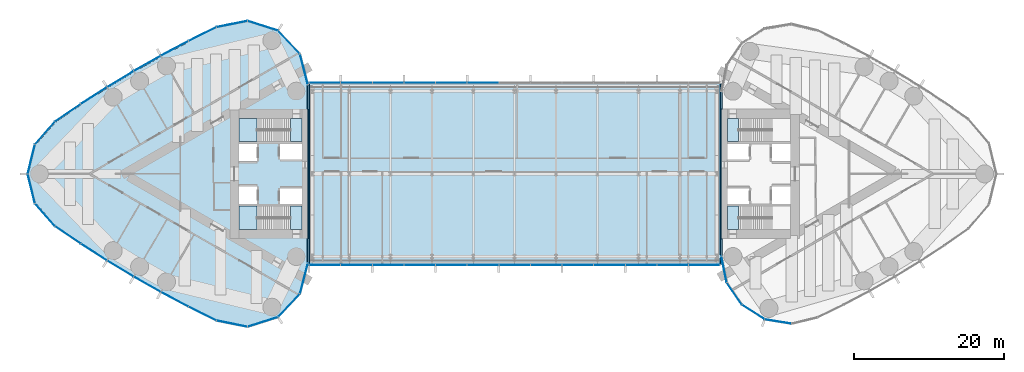
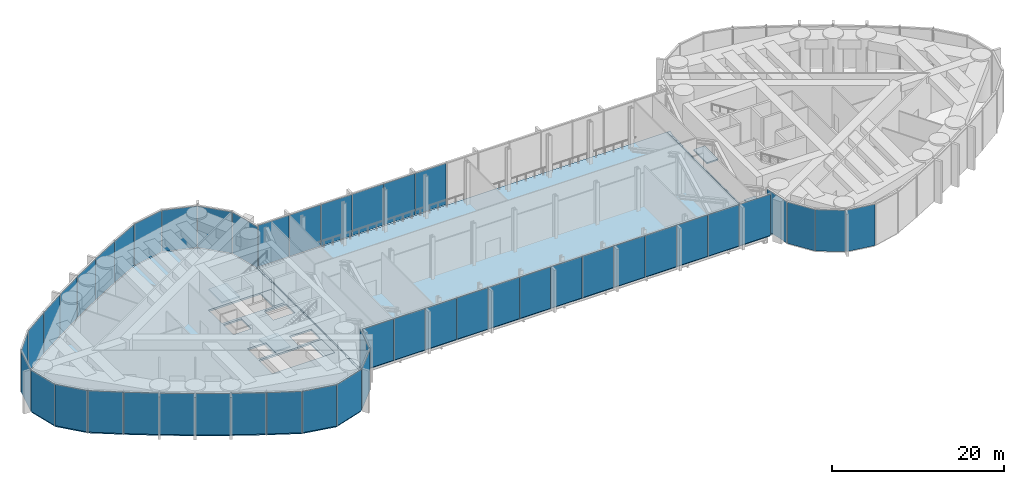
# One storey, part 13 of 21: 49 plates, 8 slabs, 8 elements without a shape of their own.
"""IFC4 building model written with IfcOpenShell, lengths in metres."""

import ifcopenshell
import ifcopenshell.guid

model = None  # the IFC model being written
_history = None  # IfcOwnerHistory: only IFC2X3 demands one
_inside = {}  # id of a spatial element -> (the spatial element, [elements in it])
_under = {}  # id of a project, library or spatial element -> (it, [spatial elements below it])
_declared = {}  # id of a project -> (the project, [libraries it declares])
_typed = {}  # id of a type object -> (the type object, [elements of that type])
_made_of = {}  # id of a material, layer set ... -> (it, [elements and type objects made of it])


def new_model(schema):
    """Start an empty IFC model of exactly this schema.

    Asked for "IFC4X3", IfcOpenShell would pick the latest addendum, in which some entities
    have other attributes; the version numbers below select the first issue.
    IFC2X3 requires an IfcOwnerHistory on every rooted entity: one is made here for all.
    """
    global model, _history
    if schema == "IFC4X3":
        model = ifcopenshell.file(schema_version=(4, 3, 0, 0))
    else:
        model = ifcopenshell.file(schema=schema)
    _inside.clear()
    _under.clear()
    _declared.clear()
    _typed.clear()
    _made_of.clear()
    _history = None
    if model.schema == "IFC2X3":
        org = make("IfcOrganization", Name="unknown")
        user = make(
            "IfcPersonAndOrganization",
            ThePerson=make("IfcPerson", FamilyName="unknown"),
            TheOrganization=org,
        )
        app = make(
            "IfcApplication",
            ApplicationDeveloper=org,
            Version="unknown",
            ApplicationFullName="unknown",
            ApplicationIdentifier="unknown",
        )
        _history = make(
            "IfcOwnerHistory",
            OwningUser=user,
            OwningApplication=app,
            ChangeAction="ADDED",
            CreationDate=0,
        )
    return model


def make(cls, **values):
    """One entity of the class cls with the attributes given. An attribute that is None is left unset."""
    return model.create_entity(
        cls, **{name: value for name, value in values.items() if value is not None}
    )


def rooted(cls, **values):
    """An entity with a GlobalId (a new one), such as an element, a storey or a relation."""
    return make(cls, GlobalId=ifcopenshell.guid.new(), OwnerHistory=_history, **values)


def si_unit(unit_type, name, prefix=None):
    """IfcSIUnit, for example si_unit("LENGTHUNIT", "METRE", prefix="MILLI")."""
    return make("IfcSIUnit", UnitType=unit_type, Prefix=prefix, Name=name)


def assignment(units):
    """IfcUnitAssignment: the units of a project."""
    return None if units is None else make("IfcUnitAssignment", Units=units)


def point(xyz):
    """IfcCartesianPoint."""
    return None if xyz is None else make("IfcCartesianPoint", Coordinates=xyz)


def direction(xyz):
    """IfcDirection."""
    return None if xyz is None else make("IfcDirection", DirectionRatios=xyz)


def frame(location, z_axis=None, x_axis=None):
    """IfcAxis2Placement3D, a coordinate frame: its origin and axes. An axis left out is left unset."""
    return make(
        "IfcAxis2Placement3D",
        Location=point(location),
        Axis=direction(z_axis),
        RefDirection=direction(x_axis),
    )


def frame_2d(location, x_axis=None):
    """IfcAxis2Placement2D, a coordinate frame in the plane: its origin and x axis."""
    return make(
        "IfcAxis2Placement2D", Location=point(location), RefDirection=direction(x_axis)
    )


def origin():
    """The frame at (0, 0, 0) with its axes left unset."""
    return frame((0.0, 0.0, 0.0))


def origin_2d():
    """The frame at (0, 0) in the plane with its x axis left unset."""
    return frame_2d((0.0, 0.0))


def place(relative_to, where):
    """IfcLocalPlacement: puts the frame where relative to a parent placement (None: the world)."""
    return make(
        "IfcLocalPlacement", PlacementRelTo=relative_to, RelativePlacement=where
    )


def context(
    kind, dimensions, precision=None, world=None, true_north=None, identifier=None
):
    """IfcGeometricRepresentationContext, for example the 3D "Model" context."""
    return make(
        "IfcGeometricRepresentationContext",
        ContextIdentifier=identifier,
        ContextType=kind,
        CoordinateSpaceDimension=dimensions,
        Precision=precision,
        WorldCoordinateSystem=world,
        TrueNorth=true_north,
    )


def subcontext(parent, identifier, kind, view, scale=None):
    """IfcGeometricRepresentationSubContext, for example "Body" below "Model"."""
    return make(
        "IfcGeometricRepresentationSubContext",
        ContextIdentifier=identifier,
        ContextType=kind,
        ParentContext=parent,
        TargetScale=scale,
        TargetView=view,
    )


def project(units=None, contexts=None):
    """IfcProject with its units and contexts."""
    return rooted(
        "IfcProject",
        Name="project",
        RepresentationContexts=contexts,
        UnitsInContext=assignment(units),
    )


def spatial(cls, under=None, at=None, **own):
    """A site, building, storey or space (cls), placed at a placement, below another one or the project."""
    s = rooted(cls, ObjectPlacement=at, **own)
    if under is not None:
        _under.setdefault(under.id(), (under, []))[1].append(s)
    return s


def polyline(points):
    """IfcPolyline through the points."""
    return make("IfcPolyline", Points=[point(p) for p in points])


def profile(cls, at=None, kind="AREA", **sizes):
    """A parametric profile (cls). Its sizes go by their IFC names, for example OverallWidth=200.0."""
    return make(cls, ProfileType=kind, Position=at, **sizes)


def rectangle(**sizes):
    """IfcRectangleProfileDef."""
    return profile("IfcRectangleProfileDef", **sizes)


def outline(outer, holes=None, kind="AREA"):
    """IfcArbitraryClosedProfileDef: a profile drawn as a closed curve; with holes, ...WithVoids."""
    if holes is None:
        return make("IfcArbitraryClosedProfileDef", ProfileType=kind, OuterCurve=outer)
    return make(
        "IfcArbitraryProfileDefWithVoids",
        ProfileType=kind,
        OuterCurve=outer,
        InnerCurves=holes,
    )


def extrude(swept, where, along, depth):
    """IfcExtrudedAreaSolid: the profile swept, set in the frame where, extruded along a direction by depth."""
    return make(
        "IfcExtrudedAreaSolid",
        SweptArea=swept,
        Position=where,
        ExtrudedDirection=direction(along),
        Depth=depth,
    )


def shape(context_of_items, identifier, shape_type, items):
    """IfcShapeRepresentation: the items that make up one representation, for example the "Body"."""
    return make(
        "IfcShapeRepresentation",
        ContextOfItems=context_of_items,
        RepresentationIdentifier=identifier,
        RepresentationType=shape_type,
        Items=items,
    )


def material(Name=None, Category=None):
    """IfcMaterial."""
    return make("IfcMaterial", Name=Name, Category=Category)


def layer(
    of_material, thickness, ventilated=None, Name=None, Category=None, Priority=None
):
    """IfcMaterialLayer: one layer of a wall or slab, of a material (None: an air gap)."""
    return make(
        "IfcMaterialLayer",
        Material=of_material,
        LayerThickness=thickness,
        IsVentilated=ventilated,
        Name=Name,
        Category=Category,
        Priority=Priority,
    )


def layer_set(layers, Name=None):
    """IfcMaterialLayerSet."""
    return make("IfcMaterialLayerSet", MaterialLayers=layers, LayerSetName=Name)


def made_of(thing, what):
    """Note that an element or type object is made of a material, layer set ...; save() writes the relation."""
    if what is not None:
        _made_of.setdefault(what.id(), (what, []))[1].append(thing)
    return thing


def type_object(cls, material=None, **own):
    """A type object (cls), such as IfcWallType, which elements share."""
    return made_of(rooted(cls, **own), material)


def element(
    cls,
    number,
    at=None,
    inside=None,
    cuts=None,
    type_object=None,
    material=None,
    context=None,
    identifier="Body",
    shape_type=None,
    held_by="IfcProductDefinitionShape",
    body=None,
    shapes=None,
    **own,
):
    """One element of the class cls, such as IfcWall. Its Tag is "e" and its number.

    at: its placement. inside: the storey or other place that contains it. cuts: it is an
    opening in that element (IfcRelVoidsElement). A single representation is given by context,
    identifier, shape_type and body (its items); several are given by shapes. held_by: the class
    of the entity that holds the representations. save() writes the other relations.
    """
    e = rooted(cls, Tag="e%d" % number, ObjectPlacement=at, **own)
    if body is not None:
        shapes = [shape(context, identifier, shape_type, body)]
    if shapes is not None:
        e.Representation = make(held_by, Representations=shapes)
    if inside is not None:
        _inside.setdefault(inside.id(), (inside, []))[1].append(e)
    if cuts is not None:
        rooted(
            "IfcRelVoidsElement", RelatingBuildingElement=cuts, RelatedOpeningElement=e
        )
    if type_object is not None:
        _typed.setdefault(type_object.id(), (type_object, []))[1].append(e)
    return made_of(e, material)


def aggregate(whole, parts):
    """IfcRelAggregates: a whole, such as a stair, and the parts it consists of."""
    return rooted("IfcRelAggregates", RelatingObject=whole, RelatedObjects=parts)


def save(model, path):
    """Write the relations noted so far, then the file.

    IfcRelAggregates (storeys below a building ...), IfcRelContainedInSpatialStructure (elements
    in a storey), IfcRelDefinesByType, IfcRelAssociatesMaterial and IfcRelDeclares: one each for
    every whole, place, type object, material and project.
    """
    for whole, parts in _under.values():
        aggregate(whole, parts)
    for where, things in _inside.values():
        rooted(
            "IfcRelContainedInSpatialStructure",
            RelatedElements=things,
            RelatingStructure=where,
        )
    for kind, things in _typed.values():
        rooted("IfcRelDefinesByType", RelatedObjects=things, RelatingType=kind)
    for what, things in _made_of.values():
        rooted("IfcRelAssociatesMaterial", RelatedObjects=things, RelatingMaterial=what)
    for by, libraries in _declared.values():
        rooted("IfcRelDeclares", RelatingContext=by, RelatedDefinitions=libraries)
    model.write(path)


model = new_model("IFC4")

# Units and contexts
model_context = context("Model", 3, precision=1e-05, world=origin(), true_north=direction((0.0, 1.0)))
body_context = subcontext(model_context, "Body", "Model", "MODEL_VIEW")
ifc_project = project(units=[si_unit("LENGTHUNIT", "METRE"), si_unit("AREAUNIT", "SQUARE_METRE"), si_unit("VOLUMEUNIT", "CUBIC_METRE"), si_unit("PLANEANGLEUNIT", "RADIAN"), si_unit("MASSUNIT", "GRAM", prefix="KILO")], contexts=[model_context])

# Site, building, storey
site_placement = place(None, origin())
site = spatial("IfcSite", under=ifc_project, at=site_placement, CompositionType="ELEMENT")
building_placement = place(site_placement, origin())
building = spatial("IfcBuilding", under=site, at=building_placement, Name="Lancet Gate Hotel", CompositionType="ELEMENT")
storey_placement = place(building_placement, frame((0.0, 0.0, 257.300048828125)))
storey = spatial("IfcBuildingStorey", under=building, at=storey_placement, Name="L68", CompositionType="ELEMENT", Elevation=257.300048828125)

# Slabs
ifc_material_1 = material(Name="Concrete C40/50", Category="concrete")
ifc_layer_1 = layer(ifc_material_1, 0.199951171875)
ifc_layer_set_1 = layer_set([ifc_layer_1], Name="Composite floor slab 200")
slab_type_1 = type_object("IfcSlabType", Name="Composite floor slab 200", PredefinedType="FLOOR", material=ifc_layer_set_1)
slab_1_placement = place(storey_placement, frame((0.0, 0.0, -0.199951171875)))
element("IfcSlab", 1, at=slab_1_placement, inside=storey, type_object=slab_type_1, Name="Bridge block L68 floor slab", PredefinedType="FLOOR", context=body_context, shape_type="SweptSolid", body=[
    extrude(outline(polyline([(27.35009765625, -12.0), (27.35009765625, 12.0), (-27.35009765625, 12.0), (-27.35009765625, -12.0), (27.35009765625, -12.0)])), origin(), (0.0, 0.0, 1.0), 0.199951171875),
])
ifc_material_2 = material(Name="Concrete C50/60", Category="concrete")
ifc_layer_2 = layer(ifc_material_2, 0.25)
ifc_layer_set_2 = layer_set([ifc_layer_2], Name="Floor slab 250")
slab_type_2 = type_object("IfcSlabType", Name="Floor slab 250", PredefinedType="FLOOR", material=ifc_layer_set_2)
slab_2_placement = place(storey_placement, frame((0.0, 0.0, -0.25)))
element("IfcSlab", 2, at=slab_2_placement, inside=storey, type_object=slab_type_2, Name="T1 L68 floor slab", PredefinedType="FLOOR", context=body_context, shape_type="SweptSolid", body=[
    extrude(outline(polyline([(-27.6201171875, 8.60009765625), (-27.6201171875, 11.84619140625), (-28.668701171875, 15.912353515625), (-31.542236328125, 18.95263671875), (-35.52783203125, 20.22412109375), (-39.645751953125, 19.40673828125), (-43.344482421875, 17.565673828125), (-47.005126953125, 15.618896484375), (-50.61181640625, 13.574462890625), (-54.162353515625, 11.43359375), (-57.654052734375, 9.197998046875), (-61.072998046875, 6.876708984375), (-63.71240234375, 3.871337890625), (-64.66064453125, 0.0), (-63.71240234375, -3.871337890625), (-61.072998046875, -6.876708984375), (-57.654052734375, -9.197998046875), (-54.162353515625, -11.43359375), (-50.61181640625, -13.574462890625), (-47.005126953125, -15.618896484375), (-43.344482421875, -17.565673828125), (-39.645751953125, -19.40673828125), (-35.52783203125, -20.22412109375), (-31.542236328125, -18.95263671875), (-28.668701171875, -15.912353515625), (-27.6201171875, -11.84619140625), (-27.6201171875, -8.60009765625), (-27.5, -8.60009765625), (-27.5, -8.199951171875), (-27.5, 8.199951171875), (-27.5, 8.60009765625), (-27.6201171875, 8.60009765625)]), holes=[polyline([(-28.300048828125, 7.39990234375), (-36.699951171875, 7.39990234375), (-36.699951171875, 4.300048828125), (-28.300048828125, 4.300048828125), (-28.300048828125, 7.39990234375)]), polyline([(-28.300048828125, 1.89990234375), (-28.300048828125, 4.0), (-31.199951171875, 4.0), (-31.199951171875, 1.89990234375), (-28.300048828125, 1.89990234375)]), polyline([(-34.25, 1.64990234375), (-34.25, 4.0), (-36.699951171875, 4.0), (-36.699951171875, 1.64990234375), (-34.25, 1.64990234375)]), polyline([(-34.25, -1.64990234375), (-36.699951171875, -1.64990234375), (-36.699951171875, -4.0), (-34.25, -4.0), (-34.25, -1.64990234375)]), polyline([(-28.300048828125, -4.0), (-28.300048828125, -1.89990234375), (-31.199951171875, -1.89990234375), (-31.199951171875, -4.0), (-28.300048828125, -4.0)]), polyline([(-28.300048828125, -7.39990234375), (-28.300048828125, -4.300048828125), (-36.699951171875, -4.300048828125), (-36.699951171875, -7.39990234375), (-28.300048828125, -7.39990234375)])]), origin(), (0.0, 0.0, 1.0), 0.25),
])

# Plates
ifc_material_3 = material(Name="Aluminium chequer plate", Category="aluminium")
ifc_layer_3 = layer(ifc_material_3, 0.014892578125)
ifc_layer_set_3 = layer_set([ifc_layer_3], Name="Movement joint cover plate 15")
plate_type_1 = type_object("IfcPlateType", Name="Movement joint cover plate 15", PredefinedType="SHEET", material=ifc_layer_set_3)
plate_1_placement = place(storey_placement, frame((0.0, 0.0, -0.01513671875)))
element("IfcPlate", 3, at=plate_1_placement, inside=storey, type_object=plate_type_1, Name="Movement joint cover plate T1 L68", PredefinedType="SHEET", context=body_context, shape_type="SweptSolid", body=[
    extrude(outline(polyline([(-27.35009765625, 12.0), (-27.65966796875, 12.0), (-27.6201171875, 11.84619140625), (-27.6201171875, 8.60009765625), (-27.5, 8.60009765625), (-27.5, 8.199951171875), (-27.5, -8.199951171875), (-27.5, -8.60009765625), (-27.6201171875, -8.60009765625), (-27.6201171875, -11.84619140625), (-27.65966796875, -12.0), (-27.35009765625, -12.0), (-27.35009765625, 12.0)])), origin(), (0.0, 0.0, 1.0), 0.01513671875),
])
plate_2_placement = place(storey_placement, frame((0.0, 0.0, -0.01513671875)))
element("IfcPlate", 4, at=plate_2_placement, inside=storey, type_object=plate_type_1, Name="Movement joint cover plate T2 L68", PredefinedType="SHEET", context=body_context, shape_type="SweptSolid", body=[
    extrude(outline(polyline([(27.35009765625, -12.0), (27.836669921875, -12.0), (27.6201171875, -10.93603515625), (27.6201171875, -8.60009765625), (27.5, -8.60009765625), (27.5, -8.199951171875), (27.5, 8.199951171875), (27.5, 8.60009765625), (27.6201171875, 8.60009765625), (27.6201171875, 10.93603515625), (27.836669921875, 12.0), (27.35009765625, 12.0), (27.35009765625, -12.0)])), origin(), (0.0, 0.0, 1.0), 0.01513671875),
])

# Curtain wall, plates
ifc_material_4 = material(Name="Aluminium curtain wall", Category="aluminium")
curtain_wall_type = type_object("IfcCurtainWallType", Name="Sky deck full-height glazing", PredefinedType="USERDEFINED", material=ifc_material_4)
curtain_wall_1_placement = place(storey_placement, origin())
curtain_wall_1 = element("IfcCurtainWall", 5, at=curtain_wall_1_placement, inside=storey, type_object=curtain_wall_type, Name="T1 L68 curtain wall 1", ObjectType="UNITISED CURTAIN WALL", PredefinedType="USERDEFINED")
ifc_material_5 = material(Name="Laminated double glazed unit 10-20-14")
ifc_layer_4 = layer(ifc_material_5, 0.0439453125)
ifc_layer_set_4 = layer_set([ifc_layer_4], Name="Sky deck glass panel")
plate_type_2 = type_object("IfcPlateType", Name="Sky deck glass panel", PredefinedType="CURTAIN_PANEL", material=ifc_layer_set_4)
plate_3_placement = place(storey_placement, frame((-28.030029296875, 13.9169921875, 0.0), z_axis=(0.0, 0.0, 1.0), x_axis=(-0.249725827997, 0.968316586056, 0.0)))
plate_3 = element("IfcPlate", 6, at=plate_3_placement, type_object=plate_type_2, Name="T1 L68 curtain wall 1 panel 1", PredefinedType="CURTAIN_PANEL", context=body_context, shape_type="SweptSolid", body=[
    extrude(rectangle(XDim=4.180419921875, YDim=0.0439453125, at=origin_2d()), origin(), (0.0, 0.0, 1.0), 5.85009765625),
])
plate_4_placement = place(storey_placement, frame((-30.018310546875, 17.514892578125, 0.0), z_axis=(0.0, 0.0, 1.0), x_axis=(-0.686882887577, 0.726768118972, 0.0)))
plate_4 = element("IfcPlate", 7, at=plate_4_placement, type_object=plate_type_2, Name="T1 L68 curtain wall 1 panel 2", PredefinedType="CURTAIN_PANEL", context=body_context, shape_type="SweptSolid", body=[
    extrude(rectangle(XDim=4.180419921875, YDim=0.0439453125, at=origin_2d()), origin(), (0.0, 0.0, 1.0), 5.85009765625),
])
plate_5_placement = place(storey_placement, frame((-33.49853515625, 19.702880859375, 0.0), z_axis=(0.0, 0.0, 1.0), x_axis=(-0.952695666833, 0.303925922549, 0.0)))
plate_5 = element("IfcPlate", 8, at=plate_5_placement, type_object=plate_type_2, Name="T1 L68 curtain wall 1 panel 3", PredefinedType="CURTAIN_PANEL", context=body_context, shape_type="SweptSolid", body=[
    extrude(rectangle(XDim=4.180419921875, YDim=0.0439453125, at=origin_2d()), origin(), (0.0, 0.0, 1.0), 5.85009765625),
])
plate_6_placement = place(storey_placement, frame((-37.602783203125, 19.9345703125, 0.0), z_axis=(0.0, 0.0, 1.0), x_axis=(-0.980856647866, -0.194731189942, 0.0)))
plate_6 = element("IfcPlate", 9, at=plate_6_placement, type_object=plate_type_2, Name="T1 L68 curtain wall 1 panel 4", PredefinedType="CURTAIN_PANEL", context=body_context, shape_type="SweptSolid", body=[
    extrude(rectangle(XDim=4.180419921875, YDim=0.0439453125, at=origin_2d()), origin(), (0.0, 0.0, 1.0), 5.85009765625),
])
plate_7_placement = place(storey_placement, frame((-41.5419921875, 18.5966796875, 0.0), z_axis=(0.0, 0.0, 1.0), x_axis=(-0.895234030262, -0.445596264639, 0.0)))
plate_7 = element("IfcPlate", 10, at=plate_7_placement, type_object=plate_type_2, Name="T1 L68 curtain wall 1 panel 5", PredefinedType="CURTAIN_PANEL", context=body_context, shape_type="SweptSolid", body=[
    extrude(rectangle(XDim=4.084228515625, YDim=0.0439453125, at=origin_2d()), origin(), (0.0, 0.0, 1.0), 5.85009765625),
])
plate_8_placement = place(storey_placement, frame((-45.23095703125, 16.6982421875, 0.0), z_axis=(0.0, 0.0, 1.0), x_axis=(-0.882915941615, -0.469531085277, 0.0)))
plate_8 = element("IfcPlate", 11, at=plate_8_placement, type_object=plate_type_2, Name="T1 L68 curtain wall 1 panel 6", PredefinedType="CURTAIN_PANEL", context=body_context, shape_type="SweptSolid", body=[
    extrude(rectangle(XDim=4.084228515625, YDim=0.0439453125, at=origin_2d()), origin(), (0.0, 0.0, 1.0), 5.85009765625),
])
plate_9_placement = place(storey_placement, frame((-48.86767578125, 14.701171875, 0.0), z_axis=(0.0, 0.0, 1.0), x_axis=(-0.869958082404, -0.493125678565, 0.0)))
plate_9 = element("IfcPlate", 12, at=plate_9_placement, type_object=plate_type_2, Name="T1 L68 curtain wall 1 panel 7", PredefinedType="CURTAIN_PANEL", context=body_context, shape_type="SweptSolid", body=[
    extrude(rectangle(XDim=4.084228515625, YDim=0.0439453125, at=origin_2d()), origin(), (0.0, 0.0, 1.0), 5.85009765625),
])
plate_10_placement = place(storey_placement, frame((-52.44921875, 12.606689453125, 0.0), z_axis=(0.0, 0.0, 1.0), x_axis=(-0.85636984205, -0.516362947574, 0.0)))
plate_10 = element("IfcPlate", 13, at=plate_10_placement, type_object=plate_type_2, Name="T1 L68 curtain wall 1 panel 8", PredefinedType="CURTAIN_PANEL", context=body_context, shape_type="SweptSolid", body=[
    extrude(rectangle(XDim=4.084228515625, YDim=0.0439453125, at=origin_2d()), origin(), (0.0, 0.0, 1.0), 5.85009765625),
])
plate_11_placement = place(storey_placement, frame((-55.972900390625, 10.416748046875, 0.0), z_axis=(0.0, 0.0, 1.0), x_axis=(-0.842161066725, -0.539226054352, 0.0)))
plate_11 = element("IfcPlate", 14, at=plate_11_placement, type_object=plate_type_2, Name="T1 L68 curtain wall 1 panel 9", PredefinedType="CURTAIN_PANEL", context=body_context, shape_type="SweptSolid", body=[
    extrude(rectangle(XDim=4.084228515625, YDim=0.0439453125, at=origin_2d()), origin(), (0.0, 0.0, 1.0), 5.85009765625),
])
plate_12_placement = place(storey_placement, frame((-59.4365234375, 8.1328125, 0.0), z_axis=(0.0, 0.0, 1.0), x_axis=(-0.827342052281, -0.561698432014, 0.0)))
plate_12 = element("IfcPlate", 15, at=plate_12_placement, type_object=plate_type_2, Name="T1 L68 curtain wall 1 panel 10", PredefinedType="CURTAIN_PANEL", context=body_context, shape_type="SweptSolid", body=[
    extrude(rectangle(XDim=4.084228515625, YDim=0.0439453125, at=origin_2d()), origin(), (0.0, 0.0, 1.0), 5.85009765625),
])
plate_13_placement = place(storey_placement, frame((-62.487548828125, 5.447998046875, 0.0), z_axis=(0.0, 0.0, 1.0), x_axis=(-0.659891635916, -0.751360784742, 0.0)))
plate_13 = element("IfcPlate", 16, at=plate_13_placement, type_object=plate_type_2, Name="T1 L68 curtain wall 1 panel 11", PredefinedType="CURTAIN_PANEL", context=body_context, shape_type="SweptSolid", body=[
    extrude(rectangle(XDim=3.979736328125, YDim=0.0439453125, at=origin_2d()), origin(), (0.0, 0.0, 1.0), 5.85009765625),
])
plate_14_placement = place(storey_placement, frame((-64.30322265625, 1.96435546875, 0.0), z_axis=(0.0, 0.0, 1.0), x_axis=(-0.237921018621, -0.971284504612, 0.0)))
plate_14 = element("IfcPlate", 17, at=plate_14_placement, type_object=plate_type_2, Name="T1 L68 curtain wall 1 panel 12", PredefinedType="CURTAIN_PANEL", context=body_context, shape_type="SweptSolid", body=[
    extrude(rectangle(XDim=3.979736328125, YDim=0.0439453125, at=origin_2d()), origin(), (0.0, 0.0, 1.0), 5.85009765625),
])
plate_15_placement = place(storey_placement, frame((-64.30322265625, -1.96435546875, 0.0), z_axis=(0.0, 0.0, 1.0), x_axis=(0.237921018621, -0.971284504612, 0.0)))
plate_15 = element("IfcPlate", 18, at=plate_15_placement, type_object=plate_type_2, Name="T1 L68 curtain wall 1 panel 13", PredefinedType="CURTAIN_PANEL", context=body_context, shape_type="SweptSolid", body=[
    extrude(rectangle(XDim=3.979736328125, YDim=0.0439453125, at=origin_2d()), origin(), (0.0, 0.0, 1.0), 5.85009765625),
])
plate_16_placement = place(storey_placement, frame((-62.487548828125, -5.447998046875, 0.0), z_axis=(0.0, 0.0, 1.0), x_axis=(0.659891635916, -0.751360784742, 0.0)))
plate_16 = element("IfcPlate", 19, at=plate_16_placement, type_object=plate_type_2, Name="T1 L68 curtain wall 1 panel 14", PredefinedType="CURTAIN_PANEL", context=body_context, shape_type="SweptSolid", body=[
    extrude(rectangle(XDim=3.979736328125, YDim=0.0439453125, at=origin_2d()), origin(), (0.0, 0.0, 1.0), 5.85009765625),
])
plate_17_placement = place(storey_placement, frame((-59.4365234375, -8.1328125, 0.0), z_axis=(0.0, 0.0, 1.0), x_axis=(0.827342052281, -0.561698432014, 0.0)))
plate_17 = element("IfcPlate", 20, at=plate_17_placement, type_object=plate_type_2, Name="T1 L68 curtain wall 1 panel 15", PredefinedType="CURTAIN_PANEL", context=body_context, shape_type="SweptSolid", body=[
    extrude(rectangle(XDim=4.084228515625, YDim=0.0439453125, at=origin_2d()), origin(), (0.0, 0.0, 1.0), 5.85009765625),
])
plate_18_placement = place(storey_placement, frame((-55.972900390625, -10.416748046875, 0.0), z_axis=(0.0, 0.0, 1.0), x_axis=(0.842161066725, -0.539226054352, 0.0)))
plate_18 = element("IfcPlate", 21, at=plate_18_placement, type_object=plate_type_2, Name="T1 L68 curtain wall 1 panel 16", PredefinedType="CURTAIN_PANEL", context=body_context, shape_type="SweptSolid", body=[
    extrude(rectangle(XDim=4.084228515625, YDim=0.0439453125, at=origin_2d()), origin(), (0.0, 0.0, 1.0), 5.85009765625),
])
plate_19_placement = place(storey_placement, frame((-52.44921875, -12.606689453125, 0.0), z_axis=(0.0, 0.0, 1.0), x_axis=(0.85636984205, -0.516362947574, 0.0)))
plate_19 = element("IfcPlate", 22, at=plate_19_placement, type_object=plate_type_2, Name="T1 L68 curtain wall 1 panel 17", PredefinedType="CURTAIN_PANEL", context=body_context, shape_type="SweptSolid", body=[
    extrude(rectangle(XDim=4.084228515625, YDim=0.0439453125, at=origin_2d()), origin(), (0.0, 0.0, 1.0), 5.85009765625),
])
plate_20_placement = place(storey_placement, frame((-48.86767578125, -14.701171875, 0.0), z_axis=(0.0, 0.0, 1.0), x_axis=(0.869958082404, -0.493125678565, 0.0)))
plate_20 = element("IfcPlate", 23, at=plate_20_placement, type_object=plate_type_2, Name="T1 L68 curtain wall 1 panel 18", PredefinedType="CURTAIN_PANEL", context=body_context, shape_type="SweptSolid", body=[
    extrude(rectangle(XDim=4.084228515625, YDim=0.0439453125, at=origin_2d()), origin(), (0.0, 0.0, 1.0), 5.85009765625),
])
plate_21_placement = place(storey_placement, frame((-45.23095703125, -16.6982421875, 0.0), z_axis=(0.0, 0.0, 1.0), x_axis=(0.882915941615, -0.469531085277, 0.0)))
plate_21 = element("IfcPlate", 24, at=plate_21_placement, type_object=plate_type_2, Name="T1 L68 curtain wall 1 panel 19", PredefinedType="CURTAIN_PANEL", context=body_context, shape_type="SweptSolid", body=[
    extrude(rectangle(XDim=4.084228515625, YDim=0.0439453125, at=origin_2d()), origin(), (0.0, 0.0, 1.0), 5.85009765625),
])
plate_22_placement = place(storey_placement, frame((-41.5419921875, -18.5966796875, 0.0), z_axis=(0.0, 0.0, 1.0), x_axis=(0.895234030262, -0.445596264639, 0.0)))
plate_22 = element("IfcPlate", 25, at=plate_22_placement, type_object=plate_type_2, Name="T1 L68 curtain wall 1 panel 20", PredefinedType="CURTAIN_PANEL", context=body_context, shape_type="SweptSolid", body=[
    extrude(rectangle(XDim=4.084228515625, YDim=0.0439453125, at=origin_2d()), origin(), (0.0, 0.0, 1.0), 5.85009765625),
])
plate_23_placement = place(storey_placement, frame((-37.602783203125, -19.9345703125, 0.0), z_axis=(0.0, 0.0, 1.0), x_axis=(0.980856647866, -0.194731189942, 0.0)))
plate_23 = element("IfcPlate", 26, at=plate_23_placement, type_object=plate_type_2, Name="T1 L68 curtain wall 1 panel 21", PredefinedType="CURTAIN_PANEL", context=body_context, shape_type="SweptSolid", body=[
    extrude(rectangle(XDim=4.180419921875, YDim=0.0439453125, at=origin_2d()), origin(), (0.0, 0.0, 1.0), 5.85009765625),
])
plate_24_placement = place(storey_placement, frame((-33.49853515625, -19.702880859375, 0.0), z_axis=(0.0, 0.0, 1.0), x_axis=(0.952695666833, 0.303925922549, 0.0)))
plate_24 = element("IfcPlate", 27, at=plate_24_placement, type_object=plate_type_2, Name="T1 L68 curtain wall 1 panel 22", PredefinedType="CURTAIN_PANEL", context=body_context, shape_type="SweptSolid", body=[
    extrude(rectangle(XDim=4.180419921875, YDim=0.0439453125, at=origin_2d()), origin(), (0.0, 0.0, 1.0), 5.85009765625),
])
plate_25_placement = place(storey_placement, frame((-30.018310546875, -17.514892578125, 0.0), z_axis=(0.0, 0.0, 1.0), x_axis=(0.686882887577, 0.726768118972, 0.0)))
plate_25 = element("IfcPlate", 28, at=plate_25_placement, type_object=plate_type_2, Name="T1 L68 curtain wall 1 panel 23", PredefinedType="CURTAIN_PANEL", context=body_context, shape_type="SweptSolid", body=[
    extrude(rectangle(XDim=4.180419921875, YDim=0.0439453125, at=origin_2d()), origin(), (0.0, 0.0, 1.0), 5.85009765625),
])
plate_26_placement = place(storey_placement, frame((-28.030029296875, -13.9169921875, 0.0), z_axis=(0.0, 0.0, 1.0), x_axis=(0.249725827997, 0.968316586056, 0.0)))
plate_26 = element("IfcPlate", 29, at=plate_26_placement, type_object=plate_type_2, Name="T1 L68 curtain wall 1 panel 24", PredefinedType="CURTAIN_PANEL", context=body_context, shape_type="SweptSolid", body=[
    extrude(rectangle(XDim=4.180419921875, YDim=0.0439453125, at=origin_2d()), origin(), (0.0, 0.0, 1.0), 5.85009765625),
])
aggregate(curtain_wall_1, [plate_3, plate_4, plate_5, plate_6, plate_7, plate_8, plate_9, plate_10, plate_11, plate_12, plate_13, plate_14, plate_15, plate_16, plate_17, plate_18, plate_19, plate_20, plate_21, plate_22, plate_23, plate_24, plate_25, plate_26])

curtain_wall_2_placement = place(storey_placement, origin())
curtain_wall_2 = element("IfcCurtainWall", 30, at=curtain_wall_2_placement, inside=storey, type_object=curtain_wall_type, Name="T2 L68 curtain wall 1", ObjectType="UNITISED CURTAIN WALL", PredefinedType="USERDEFINED")
plate_27_placement = place(storey_placement, frame((27.8583984375, -12.707763671875, 0.0), z_axis=(0.0, 0.0, 1.0), x_axis=(0.199533486841, -0.979891008036, 0.0)))
plate_27 = element("IfcPlate", 31, at=plate_27_placement, type_object=plate_type_2, Name="T2 L68 curtain wall 1 panel 1", PredefinedType="CURTAIN_PANEL", context=body_context, shape_type="SweptSolid", body=[
    extrude(rectangle(XDim=3.526611328125, YDim=0.0439453125, at=origin_2d()), origin(), (0.0, 0.0, 1.0), 5.85009765625),
])
plate_28_placement = place(storey_placement, frame((29.234619140625, -15.947021484375, 0.0), z_axis=(0.0, 0.0, 1.0), x_axis=(0.566823864908, -0.823839005007, 0.0)))
plate_28 = element("IfcPlate", 32, at=plate_28_placement, type_object=plate_type_2, Name="T2 L68 curtain wall 1 panel 2", PredefinedType="CURTAIN_PANEL", context=body_context, shape_type="SweptSolid", body=[
    extrude(rectangle(XDim=3.526611328125, YDim=0.0439453125, at=origin_2d()), origin(), (0.0, 0.0, 1.0), 5.85009765625),
])
plate_29_placement = place(storey_placement, frame((31.767822265625, -18.389892578125, 0.0), z_axis=(0.0, 0.0, 1.0), x_axis=(0.843845020422, -0.536586974785, 0.0)))
plate_29 = element("IfcPlate", 33, at=plate_29_placement, type_object=plate_type_2, Name="T2 L68 curtain wall 1 panel 3", PredefinedType="CURTAIN_PANEL", context=body_context, shape_type="SweptSolid", body=[
    extrude(rectangle(XDim=3.526611328125, YDim=0.0439453125, at=origin_2d()), origin(), (0.0, 0.0, 1.0), 5.85009765625),
])
plate_30_placement = place(storey_placement, frame((35.0546875, -19.64794921875, 0.0), z_axis=(0.0, 0.0, 1.0), x_axis=(0.986480101775, -0.163881081283, 0.0)))
plate_30 = element("IfcPlate", 34, at=plate_30_placement, type_object=plate_type_2, Name="T2 L68 curtain wall 1 panel 4", PredefinedType="CURTAIN_PANEL", context=body_context, shape_type="SweptSolid", body=[
    extrude(rectangle(XDim=3.526611328125, YDim=0.0439453125, at=origin_2d()), origin(), (0.0, 0.0, 1.0), 5.85009765625),
])
aggregate(curtain_wall_2, [plate_27, plate_28, plate_29, plate_30])

curtain_wall_3_placement = place(storey_placement, origin())
curtain_wall_3 = element("IfcCurtainWall", 35, at=curtain_wall_3_placement, inside=storey, type_object=curtain_wall_type, Name="Bridge block L68 curtain wall S", ObjectType="UNITISED CURTAIN WALL", PredefinedType="USERDEFINED")
plate_31_placement = place(storey_placement, frame((-25.24609375, -12.1201171875, 0.0), z_axis=(0.0, 0.0, 1.0), x_axis=(1.0, 0.0, 0.0)))
plate_31 = element("IfcPlate", 36, at=plate_31_placement, type_object=plate_type_2, Name="Bridge block L68 curtain wall S panel 1", PredefinedType="CURTAIN_PANEL", context=body_context, shape_type="SweptSolid", body=[
    extrude(rectangle(XDim=4.142578125, YDim=0.0439453125, at=origin_2d()), origin(), (0.0, 0.0, 1.0), 5.85009765625),
])
plate_32_placement = place(storey_placement, frame((-21.03857421875, -12.1201171875, 0.0), z_axis=(0.0, 0.0, 1.0), x_axis=(1.0, 0.0, 0.0)))
plate_32 = element("IfcPlate", 37, at=plate_32_placement, type_object=plate_type_2, Name="Bridge block L68 curtain wall S panel 2", PredefinedType="CURTAIN_PANEL", context=body_context, shape_type="SweptSolid", body=[
    extrude(rectangle(XDim=4.142578125, YDim=0.0439453125, at=origin_2d()), origin(), (0.0, 0.0, 1.0), 5.85009765625),
])
plate_33_placement = place(storey_placement, frame((-16.830810546875, -12.1201171875, 0.0), z_axis=(0.0, 0.0, 1.0), x_axis=(1.0, 0.0, 0.0)))
plate_33 = element("IfcPlate", 38, at=plate_33_placement, type_object=plate_type_2, Name="Bridge block L68 curtain wall S panel 3", PredefinedType="CURTAIN_PANEL", context=body_context, shape_type="SweptSolid", body=[
    extrude(rectangle(XDim=4.142578125, YDim=0.0439453125, at=origin_2d()), origin(), (0.0, 0.0, 1.0), 5.85009765625),
])
plate_34_placement = place(storey_placement, frame((-12.623046875, -12.1201171875, 0.0), z_axis=(0.0, 0.0, 1.0), x_axis=(1.0, 0.0, 0.0)))
plate_34 = element("IfcPlate", 39, at=plate_34_placement, type_object=plate_type_2, Name="Bridge block L68 curtain wall S panel 4", PredefinedType="CURTAIN_PANEL", context=body_context, shape_type="SweptSolid", body=[
    extrude(rectangle(XDim=4.142578125, YDim=0.0439453125, at=origin_2d()), origin(), (0.0, 0.0, 1.0), 5.85009765625),
])
plate_35_placement = place(storey_placement, frame((-8.415283203125, -12.1201171875, 0.0), z_axis=(0.0, 0.0, 1.0), x_axis=(1.0, 0.0, 0.0)))
plate_35 = element("IfcPlate", 40, at=plate_35_placement, type_object=plate_type_2, Name="Bridge block L68 curtain wall S panel 5", PredefinedType="CURTAIN_PANEL", context=body_context, shape_type="SweptSolid", body=[
    extrude(rectangle(XDim=4.142578125, YDim=0.0439453125, at=origin_2d()), origin(), (0.0, 0.0, 1.0), 5.85009765625),
])
plate_36_placement = place(storey_placement, frame((-4.207763671875, -12.1201171875, 0.0), z_axis=(0.0, 0.0, 1.0), x_axis=(1.0, 0.0, 0.0)))
plate_36 = element("IfcPlate", 41, at=plate_36_placement, type_object=plate_type_2, Name="Bridge block L68 curtain wall S panel 6", PredefinedType="CURTAIN_PANEL", context=body_context, shape_type="SweptSolid", body=[
    extrude(rectangle(XDim=4.142578125, YDim=0.0439453125, at=origin_2d()), origin(), (0.0, 0.0, 1.0), 5.85009765625),
])
plate_37_placement = place(storey_placement, frame((0.0, -12.1201171875, 0.0), z_axis=(0.0, 0.0, 1.0), x_axis=(1.0, 0.0, 0.0)))
plate_37 = element("IfcPlate", 42, at=plate_37_placement, type_object=plate_type_2, Name="Bridge block L68 curtain wall S panel 7", PredefinedType="CURTAIN_PANEL", context=body_context, shape_type="SweptSolid", body=[
    extrude(rectangle(XDim=4.142578125, YDim=0.0439453125, at=origin_2d()), origin(), (0.0, 0.0, 1.0), 5.85009765625),
])
plate_38_placement = place(storey_placement, frame((4.207763671875, -12.1201171875, 0.0), z_axis=(0.0, 0.0, 1.0), x_axis=(1.0, 0.0, 0.0)))
plate_38 = element("IfcPlate", 43, at=plate_38_placement, type_object=plate_type_2, Name="Bridge block L68 curtain wall S panel 8", PredefinedType="CURTAIN_PANEL", context=body_context, shape_type="SweptSolid", body=[
    extrude(rectangle(XDim=4.142578125, YDim=0.0439453125, at=origin_2d()), origin(), (0.0, 0.0, 1.0), 5.85009765625),
])
plate_39_placement = place(storey_placement, frame((8.415283203125, -12.1201171875, 0.0), z_axis=(0.0, 0.0, 1.0), x_axis=(1.0, 0.0, 0.0)))
plate_39 = element("IfcPlate", 44, at=plate_39_placement, type_object=plate_type_2, Name="Bridge block L68 curtain wall S panel 9", PredefinedType="CURTAIN_PANEL", context=body_context, shape_type="SweptSolid", body=[
    extrude(rectangle(XDim=4.142578125, YDim=0.0439453125, at=origin_2d()), origin(), (0.0, 0.0, 1.0), 5.85009765625),
])
plate_40_placement = place(storey_placement, frame((12.623046875, -12.1201171875, 0.0), z_axis=(0.0, 0.0, 1.0), x_axis=(1.0, 0.0, 0.0)))
plate_40 = element("IfcPlate", 45, at=plate_40_placement, type_object=plate_type_2, Name="Bridge block L68 curtain wall S panel 10", PredefinedType="CURTAIN_PANEL", context=body_context, shape_type="SweptSolid", body=[
    extrude(rectangle(XDim=4.142578125, YDim=0.0439453125, at=origin_2d()), origin(), (0.0, 0.0, 1.0), 5.85009765625),
])
plate_41_placement = place(storey_placement, frame((16.830810546875, -12.1201171875, 0.0), z_axis=(0.0, 0.0, 1.0), x_axis=(1.0, 0.0, 0.0)))
plate_41 = element("IfcPlate", 46, at=plate_41_placement, type_object=plate_type_2, Name="Bridge block L68 curtain wall S panel 11", PredefinedType="CURTAIN_PANEL", context=body_context, shape_type="SweptSolid", body=[
    extrude(rectangle(XDim=4.142578125, YDim=0.0439453125, at=origin_2d()), origin(), (0.0, 0.0, 1.0), 5.85009765625),
])
plate_42_placement = place(storey_placement, frame((21.03857421875, -12.1201171875, 0.0), z_axis=(0.0, 0.0, 1.0), x_axis=(1.0, 0.0, 0.0)))
plate_42 = element("IfcPlate", 47, at=plate_42_placement, type_object=plate_type_2, Name="Bridge block L68 curtain wall S panel 12", PredefinedType="CURTAIN_PANEL", context=body_context, shape_type="SweptSolid", body=[
    extrude(rectangle(XDim=4.142578125, YDim=0.0439453125, at=origin_2d()), origin(), (0.0, 0.0, 1.0), 5.85009765625),
])
plate_43_placement = place(storey_placement, frame((25.24609375, -12.1201171875, 0.0), z_axis=(0.0, 0.0, 1.0), x_axis=(1.0, 0.0, 0.0)))
plate_43 = element("IfcPlate", 48, at=plate_43_placement, type_object=plate_type_2, Name="Bridge block L68 curtain wall S panel 13", PredefinedType="CURTAIN_PANEL", context=body_context, shape_type="SweptSolid", body=[
    extrude(rectangle(XDim=4.142578125, YDim=0.0439453125, at=origin_2d()), origin(), (0.0, 0.0, 1.0), 5.85009765625),
])
aggregate(curtain_wall_3, [plate_31, plate_32, plate_33, plate_34, plate_35, plate_36, plate_37, plate_38, plate_39, plate_40, plate_41, plate_42, plate_43])

curtain_wall_4_placement = place(storey_placement, origin())
curtain_wall_4 = element("IfcCurtainWall", 49, at=curtain_wall_4_placement, inside=storey, type_object=curtain_wall_type, Name="Bridge block L68 curtain wall N", ObjectType="UNITISED CURTAIN WALL", PredefinedType="USERDEFINED")
plate_44_placement = place(storey_placement, frame((-4.207763671875, 12.1201171875, 0.0), z_axis=(0.0, 0.0, 1.0), x_axis=(-1.0, 0.0, 0.0)))
plate_44 = element("IfcPlate", 50, at=plate_44_placement, type_object=plate_type_2, Name="Bridge block L68 curtain wall N panel 8", PredefinedType="CURTAIN_PANEL", context=body_context, shape_type="SweptSolid", body=[
    extrude(rectangle(XDim=4.142578125, YDim=0.0439453125, at=origin_2d()), origin(), (0.0, 0.0, 1.0), 5.85009765625),
])
plate_45_placement = place(storey_placement, frame((-8.415283203125, 12.1201171875, 0.0), z_axis=(0.0, 0.0, 1.0), x_axis=(-1.0, 0.0, 0.0)))
plate_45 = element("IfcPlate", 51, at=plate_45_placement, type_object=plate_type_2, Name="Bridge block L68 curtain wall N panel 9", PredefinedType="CURTAIN_PANEL", context=body_context, shape_type="SweptSolid", body=[
    extrude(rectangle(XDim=4.142578125, YDim=0.0439453125, at=origin_2d()), origin(), (0.0, 0.0, 1.0), 5.85009765625),
])
plate_46_placement = place(storey_placement, frame((-12.623046875, 12.1201171875, 0.0), z_axis=(0.0, 0.0, 1.0), x_axis=(-1.0, 0.0, 0.0)))
plate_46 = element("IfcPlate", 52, at=plate_46_placement, type_object=plate_type_2, Name="Bridge block L68 curtain wall N panel 10", PredefinedType="CURTAIN_PANEL", context=body_context, shape_type="SweptSolid", body=[
    extrude(rectangle(XDim=4.142578125, YDim=0.0439453125, at=origin_2d()), origin(), (0.0, 0.0, 1.0), 5.85009765625),
])
plate_47_placement = place(storey_placement, frame((-16.830810546875, 12.1201171875, 0.0), z_axis=(0.0, 0.0, 1.0), x_axis=(-1.0, 0.0, 0.0)))
plate_47 = element("IfcPlate", 53, at=plate_47_placement, type_object=plate_type_2, Name="Bridge block L68 curtain wall N panel 11", PredefinedType="CURTAIN_PANEL", context=body_context, shape_type="SweptSolid", body=[
    extrude(rectangle(XDim=4.142578125, YDim=0.0439453125, at=origin_2d()), origin(), (0.0, 0.0, 1.0), 5.85009765625),
])
plate_48_placement = place(storey_placement, frame((-21.03857421875, 12.1201171875, 0.0), z_axis=(0.0, 0.0, 1.0), x_axis=(-1.0, 0.0, 0.0)))
plate_48 = element("IfcPlate", 54, at=plate_48_placement, type_object=plate_type_2, Name="Bridge block L68 curtain wall N panel 12", PredefinedType="CURTAIN_PANEL", context=body_context, shape_type="SweptSolid", body=[
    extrude(rectangle(XDim=4.142578125, YDim=0.0439453125, at=origin_2d()), origin(), (0.0, 0.0, 1.0), 5.85009765625),
])
plate_49_placement = place(storey_placement, frame((-25.24609375, 12.1201171875, 0.0), z_axis=(0.0, 0.0, 1.0), x_axis=(-1.0, 0.0, 0.0)))
plate_49 = element("IfcPlate", 55, at=plate_49_placement, type_object=plate_type_2, Name="Bridge block L68 curtain wall N panel 13", PredefinedType="CURTAIN_PANEL", context=body_context, shape_type="SweptSolid", body=[
    extrude(rectangle(XDim=4.142578125, YDim=0.0439453125, at=origin_2d()), origin(), (0.0, 0.0, 1.0), 5.85009765625),
])
aggregate(curtain_wall_4, [plate_44, plate_45, plate_46, plate_47, plate_48, plate_49])

# Stair, slabs
ifc_material_6 = material(Name="Exit stair 34 risers 1500")
stair_type = type_object("IfcStairType", Name="Exit stair 34 risers 1500", PredefinedType="HALF_TURN_STAIR", material=ifc_material_6)
stair_1_placement = place(storey_placement, origin())
stair_1 = element("IfcStair", 56, at=stair_1_placement, inside=storey, type_object=stair_type, Name="T1 stair 1 L68", PredefinedType="HALF_TURN_STAIR")
ifc_material_7 = material(Name="Concrete C40/50", Category="concrete")
ifc_layer_5 = layer(ifc_material_7, 0.199951171875)
ifc_layer_set_5 = layer_set([ifc_layer_5], Name="Stair landing 200")
slab_type_3 = type_object("IfcSlabType", Name="Stair landing 200", PredefinedType="LANDING", material=ifc_layer_set_5)
slab_3_placement = place(storey_placement, frame((0.0, 0.0, -0.199951171875)))
slab_3 = element("IfcSlab", 57, at=slab_3_placement, type_object=slab_type_3, Name="ST1 landing 1", PredefinedType="LANDING", context=body_context, shape_type="SweptSolid", body=[
    extrude(outline(polyline([(-28.300048828125, 7.39990234375), (-29.800048828125, 7.39990234375), (-29.800048828125, 4.300048828125), (-28.300048828125, 4.300048828125), (-28.300048828125, 7.39990234375)])), origin(), (0.0, 0.0, 1.0), 0.199951171875),
])
slab_4_placement = place(storey_placement, frame((0.0, 0.0, 2.800048828125)))
slab_4 = element("IfcSlab", 58, at=slab_4_placement, type_object=slab_type_3, Name="ST1 landing 2", PredefinedType="LANDING", context=body_context, shape_type="SweptSolid", body=[
    extrude(outline(polyline([(-34.280029296875, 7.39990234375), (-36.699951171875, 7.39990234375), (-36.699951171875, 4.300048828125), (-34.280029296875, 4.300048828125), (-34.280029296875, 7.39990234375)])), origin(), (0.0, 0.0, 1.0), 0.199951171875),
])
aggregate(stair_1, [slab_3, slab_4])

stair_2_placement = place(storey_placement, origin())
stair_2 = element("IfcStair", 59, at=stair_2_placement, inside=storey, type_object=stair_type, Name="T1 stair 2 L68", PredefinedType="HALF_TURN_STAIR")
slab_5_placement = place(storey_placement, frame((0.0, 0.0, -0.199951171875)))
slab_5 = element("IfcSlab", 60, at=slab_5_placement, type_object=slab_type_3, Name="ST2 landing 1", PredefinedType="LANDING", context=body_context, shape_type="SweptSolid", body=[
    extrude(outline(polyline([(-28.300048828125, -4.300048828125), (-29.800048828125, -4.300048828125), (-29.800048828125, -7.39990234375), (-28.300048828125, -7.39990234375), (-28.300048828125, -4.300048828125)])), origin(), (0.0, 0.0, 1.0), 0.199951171875),
])
slab_6_placement = place(storey_placement, frame((0.0, 0.0, 2.800048828125)))
slab_6 = element("IfcSlab", 61, at=slab_6_placement, type_object=slab_type_3, Name="ST2 landing 2", PredefinedType="LANDING", context=body_context, shape_type="SweptSolid", body=[
    extrude(outline(polyline([(-34.280029296875, -4.300048828125), (-36.699951171875, -4.300048828125), (-36.699951171875, -7.39990234375), (-34.280029296875, -7.39990234375), (-34.280029296875, -4.300048828125)])), origin(), (0.0, 0.0, 1.0), 0.199951171875),
])
aggregate(stair_2, [slab_5, slab_6])

# Stair, slab
stair_3_placement = place(storey_placement, origin())
stair_3 = element("IfcStair", 62, at=stair_3_placement, inside=storey, type_object=stair_type, Name="T2 stair 1 L68", PredefinedType="HALF_TURN_STAIR")
slab_7_placement = place(storey_placement, frame((0.0, 0.0, -0.199951171875)))
slab_7 = element("IfcSlab", 63, at=slab_7_placement, type_object=slab_type_3, Name="ST3 landing 1", PredefinedType="LANDING", context=body_context, shape_type="SweptSolid", body=[
    extrude(outline(polyline([(28.300048828125, -7.39990234375), (29.800048828125, -7.39990234375), (29.800048828125, -4.300048828125), (28.300048828125, -4.300048828125), (28.300048828125, -7.39990234375)])), origin(), (0.0, 0.0, 1.0), 0.199951171875),
])
aggregate(stair_3, [slab_7])

stair_4_placement = place(storey_placement, origin())
stair_4 = element("IfcStair", 64, at=stair_4_placement, inside=storey, type_object=stair_type, Name="T2 stair 2 L68", PredefinedType="HALF_TURN_STAIR")
slab_8_placement = place(storey_placement, frame((0.0, 0.0, -0.199951171875)))
slab_8 = element("IfcSlab", 65, at=slab_8_placement, type_object=slab_type_3, Name="ST4 landing 1", PredefinedType="LANDING", context=body_context, shape_type="SweptSolid", body=[
    extrude(outline(polyline([(28.300048828125, 4.300048828125), (29.800048828125, 4.300048828125), (29.800048828125, 7.39990234375), (28.300048828125, 7.39990234375), (28.300048828125, 4.300048828125)])), origin(), (0.0, 0.0, 1.0), 0.199951171875),
])
aggregate(stair_4, [slab_8])

save(model, "model.ifc")
